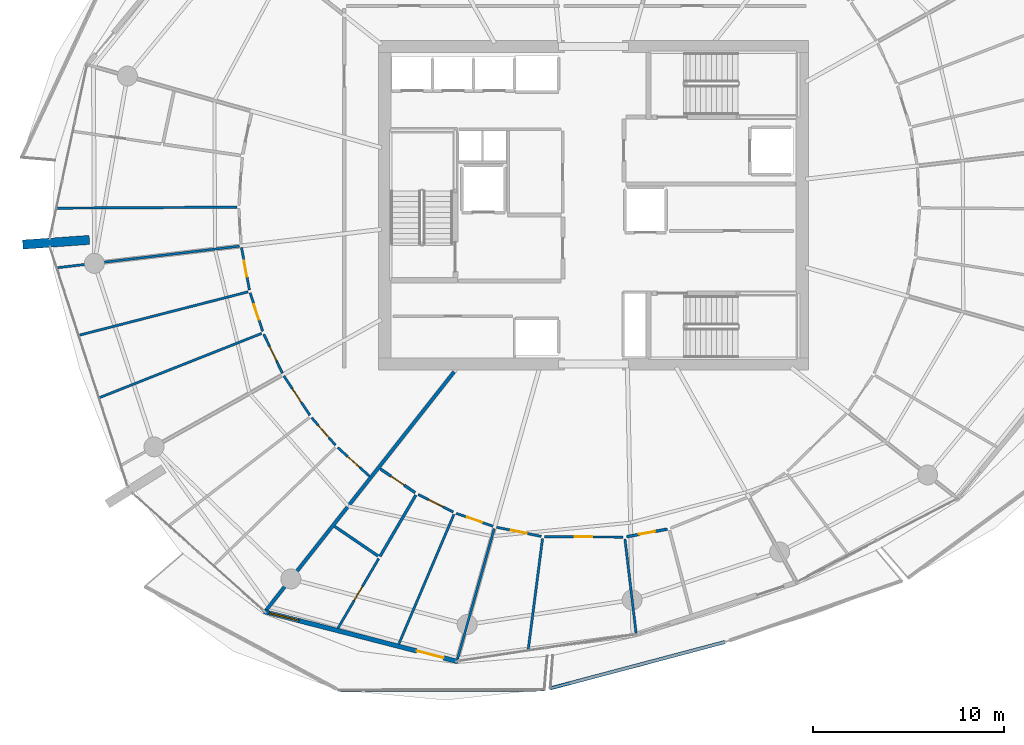
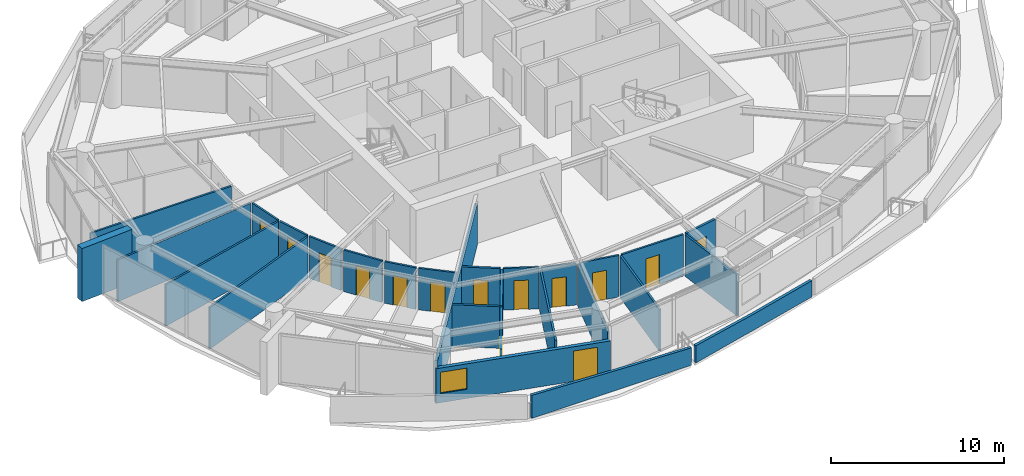
# One storey, part 11 of 21: 28 walls, 14 doors, 1 window, 15 openings.
"""IFC4 building model written with IfcOpenShell, lengths in metres."""

from ifc_helpers import new_model, si_unit, direction, frame, frame_2d, origin, place, context, subcontext, project, spatial, polyline, rectangle, outline, extrude, material, layer, layer_set, type_object, element, fill, save


model = new_model("IFC4")

# Units and contexts
model_context = context("Model", 3, precision=1e-05, world=origin(), true_north=direction((0.0, 1.0)))
body_context = subcontext(model_context, "Body", "Model", "MODEL_VIEW")
ifc_project = project(units=[si_unit("LENGTHUNIT", "METRE"), si_unit("AREAUNIT", "SQUARE_METRE"), si_unit("VOLUMEUNIT", "CUBIC_METRE"), si_unit("PLANEANGLEUNIT", "RADIAN"), si_unit("MASSUNIT", "GRAM", prefix="KILO")], contexts=[model_context])

# Site, building, storey
site_placement = place(None, origin())
site = spatial("IfcSite", under=ifc_project, at=site_placement, CompositionType="ELEMENT")
building_placement = place(site_placement, origin())
building = spatial("IfcBuilding", under=site, at=building_placement, Name="Kazma Halo Residences", CompositionType="ELEMENT")
storey_placement = place(building_placement, frame((0.0, 0.0, 184.050048828125)))
storey = spatial("IfcBuildingStorey", under=building, at=storey_placement, Name="L46", CompositionType="ELEMENT", Elevation=184.050048828125)

# Walls
ifc_material_1 = material(Name="White Concrete C50/60 Balustrade", Category="concrete")
ifc_layer_1 = layer(ifc_material_1, 0.179931640625)
ifc_layer_set_1 = layer_set([ifc_layer_1], Name="White Concrete C50/60 Balustrade")
wall_type_1 = type_object("IfcWallType", Name="WL-BAL-WAVE-180", PredefinedType="PARAPET", material=ifc_layer_set_1)
wall_1_placement = place(storey_placement, frame((35.16357421875, 16.571533203125, 0.0), z_axis=(0.0, 0.0, 1.0), x_axis=(0.999995918579, 0.002857065892, 0.0)))
element("IfcWall", 1, at=wall_1_placement, inside=storey, type_object=wall_type_1, Name="L46 white wave balustrade wall SW.2", PredefinedType="PARAPET", context=body_context, shape_type="SweptSolid", body=[
    extrude(outline(polyline([(0.0, 0.0), (10.681396484375, 0.0), (10.681396484375, 1.23291015625), (5.3408203125, 1.41796875), (0.0, 1.6318359375), (0.0, 0.0)])), frame((0.0, 0.08984375, 0.0), z_axis=(0.0, -1.0, 0.0), x_axis=(1.0, 0.0, 0.0)), (0.0, 0.0, 1.0), 0.179931640625),
])
wall_2_placement = place(storey_placement, frame((46.16162109375, 16.662109375, 0.0), z_axis=(0.0, 0.0, 1.0), x_axis=(0.96653117448, 0.256549193642, 0.0)))
element("IfcWall", 2, at=wall_2_placement, inside=storey, type_object=wall_type_1, Name="L46 white wave balustrade wall SSE.1", PredefinedType="PARAPET", context=body_context, shape_type="SweptSolid", body=[
    extrude(outline(polyline([(0.0, 0.0), (9.47265625, 0.0), (9.47265625, 1.14794921875), (4.736328125, 1.126953125), (0.0, 1.223876953125), (0.0, 0.0)])), frame((0.0, 0.08984375, 0.0), z_axis=(0.0, -1.0, 0.0), x_axis=(1.0, 0.0, 0.0)), (0.0, 0.0, 1.0), 0.179931640625),
])
ifc_material_2 = material(Name="Pale Concrete C60/75", Category="concrete")
ifc_layer_2 = layer(ifc_material_2, 0.47998046875)
ifc_layer_set_2 = layer_set([ifc_layer_2], Name="Pale Concrete C60/75")
wall_type_2 = type_object("IfcWallType", Name="WL-BLADE-480", PredefinedType="SOLIDWALL", material=ifc_layer_set_2)
wall_3_placement = place(storey_placement, frame((21.9873046875, 40.180908203125, 0.0), z_axis=(0.0, 0.0, 1.0), x_axis=(-0.997568676264, -0.069690287244, 0.0)))
element("IfcWall", 3, at=wall_3_placement, inside=storey, type_object=wall_type_2, Name="L46 pale concrete structural blade fin wall BW-02", PredefinedType="SOLIDWALL", context=body_context, shape_type="SweptSolid", body=[
    extrude(rectangle(XDim=3.499755859375, YDim=0.47998046875, at=frame_2d((1.75, 0.0))), origin(), (0.0, 0.0, 1.0), 3.75),
])
ifc_material_3 = material(Name="Acoustic Twin-Stud Gypsum")
ifc_layer_3 = layer(ifc_material_3, 0.179931640625)
ifc_layer_set_3 = layer_set([ifc_layer_3], Name="Acoustic Twin-Stud Gypsum")
wall_type_3 = type_object("IfcWallType", Name="WL-DEM-180", PredefinedType="PARTITIONING", material=ifc_layer_set_3)
wall_4_placement = place(storey_placement, frame((41.11279296875, 33.263671875, 0.0), z_axis=(0.0, 0.0, 1.0), x_axis=(-0.619089233189, -0.785320648748, 0.0)))
element("IfcWall", 4, at=wall_4_placement, inside=storey, type_object=wall_type_3, Name="L46 apartment demising radial wall 09", PredefinedType="PARTITIONING", context=body_context, shape_type="SweptSolid", body=[
    extrude(rectangle(XDim=16.005615234375, YDim=0.179931640625, at=frame_2d((8.0029296875, 0.0))), origin(), (0.0, 0.0, 1.0), 2.93994140625),
])

# Wall, openings, door, window
ifc_material_4 = material(Name="Insulated Pale-Metal Composite Wall")
ifc_layer_4 = layer(ifc_material_4, 0.239990234375)
ifc_layer_set_4 = layer_set([ifc_layer_4], Name="Insulated Pale-Metal Composite Wall")
wall_type_4 = type_object("IfcWallType", Name="WL-EXT-HOST-240", PredefinedType="SOLIDWALL", material=ifc_layer_set_4)
wall_5_placement = place(storey_placement, frame((31.139892578125, 20.68701171875, 0.0), z_axis=(0.0, 0.0, 1.0), x_axis=(0.968374028006, -0.249502989727, 0.0)))
wall_5 = element("IfcWall", 5, at=wall_5_placement, inside=storey, type_object=wall_type_4, Name="L46 exterior terrace-access wall B10", PredefinedType="SOLIDWALL", context=body_context, shape_type="SweptSolid", body=[
    extrude(rectangle(XDim=10.494384765625, YDim=0.239990234375, at=frame_2d((5.2470703125, 0.0))), origin(), (0.0, 0.0, 1.0), 2.449951171875),
])
opening_1_placement = place(wall_5_placement, frame((8.2744140625, 0.0, 0.0)))
opening_1 = element("IfcOpeningElement", 6, at=opening_1_placement, cuts=wall_5, Name="Opening DTR-1600", PredefinedType="OPENING", context=body_context, shape_type="SweptSolid", body=[
    extrude(rectangle(XDim=1.449951171875, YDim=2.14990234375, at=frame_2d((0.72509765625, 1.074951171875))), frame((0.0, 0.1298828125, 0.0), z_axis=(0.0, -1.0, 0.0), x_axis=(1.0, 0.0, 0.0)), (0.0, 0.0, 1.0), 0.260009765625),
])
opening_2_placement = place(wall_5_placement, frame((0.280029296875, 0.0, 0.64990234375)))
opening_2 = element("IfcOpeningElement", 7, at=opening_2_placement, cuts=wall_5, Name="Opening W-1800", PredefinedType="OPENING", context=body_context, shape_type="SweptSolid", body=[
    extrude(rectangle(XDim=1.60009765625, YDim=1.5, at=frame_2d((0.800048828125, 0.75))), frame((0.0, 0.1298828125, 0.0), z_axis=(0.0, -1.0, 0.0), x_axis=(1.0, 0.0, 0.0)), (0.0, 0.0, 1.0), 0.260009765625),
])
ifc_material_5 = material(Name="Aluminium AW-6063 T6 Double-Glazed Terrace Door", Category="aluminium")
door_type_1 = type_object("IfcDoorType", Name="DR-EXT-TERR-1600", OperationType="NOTDEFINED", PredefinedType="DOOR", material=ifc_material_5)
door_1_placement = place(opening_1_placement, origin())
door_1 = element("IfcDoor", 8, at=door_1_placement, inside=storey, type_object=door_type_1, Name="L46 B10 balcony terrace door", OperationType="DOUBLE_DOOR_SLIDING", OverallHeight=2.14990234375, OverallWidth=1.449951171875, PredefinedType="DOOR", context=body_context, shape_type="SweptSolid", body=[
    extrude(rectangle(XDim=1.449951171875, YDim=2.14990234375, at=frame_2d((0.72509765625, 1.074951171875))), frame((0.0, 0.02490234375, 0.0), z_axis=(0.0, -1.0, 0.0), x_axis=(1.0, 0.0, 0.0)), (0.0, 0.0, 1.0), 0.050048828125),
])
fill(opening_1, door_1)
ifc_material_6 = material(Name="Clear Triple-Silver Low-E Glass in Aluminium AW-6063 T6 Frame", Category="aluminium")
window_type = type_object("IfcWindowType", Name="WIN-RES-1800", PartitioningType="DOUBLE_PANEL_VERTICAL", PredefinedType="WINDOW", material=ifc_material_6)
window_placement = place(opening_2_placement, origin())
window = element("IfcWindow", 9, at=window_placement, inside=storey, type_object=window_type, Name="L46 B10 apartment window", OverallHeight=1.5, OverallWidth=1.60009765625, PartitioningType="SINGLE_PANEL", PredefinedType="WINDOW", context=body_context, shape_type="SweptSolid", body=[
    extrude(rectangle(XDim=1.60009765625, YDim=1.5, at=frame_2d((0.800048828125, 0.75))), frame((0.0, 0.030029296875, 0.0), z_axis=(0.0, -1.0, 0.0), x_axis=(1.0, 0.0, 0.0)), (0.0, 0.0, 1.0), 0.06005859375),
])
fill(opening_2, window)

# Walls
ifc_material_7 = material(Name="Gypsum Plasterboard Partition")
ifc_layer_5 = layer(ifc_material_7, 0.125)
ifc_layer_set_5 = layer_set([ifc_layer_5], Name="Gypsum Plasterboard Partition")
wall_type_5 = type_object("IfcWallType", Name="WL-PART-125", PredefinedType="PARTITIONING", material=ifc_layer_set_5)
wall_6_placement = place(storey_placement, frame((29.732421875, 41.899169921875, 0.0), z_axis=(0.0, 0.0, 1.0), x_axis=(-0.9999847383, -0.00552477756, 0.0)))
element("IfcWall", 10, at=wall_6_placement, inside=storey, type_object=wall_type_5, Name="L46 Apartment 2 suite divider 6", PredefinedType="PARTITIONING", context=body_context, shape_type="SweptSolid", body=[
    extrude(rectangle(XDim=9.456787109375, YDim=0.125, at=frame_2d((4.728515625, 0.0))), origin(), (0.0, 0.0, 1.0), 2.93994140625),
])
wall_7_placement = place(storey_placement, frame((29.8486328125, 39.8515625, 0.0), z_axis=(0.0, 0.0, 1.0), x_axis=(-0.993068571817, -0.117536426992, 0.0)))
element("IfcWall", 11, at=wall_7_placement, inside=storey, type_object=wall_type_5, Name="L46 Apartment 2 radial partition 7", PredefinedType="PARTITIONING", context=body_context, shape_type="SweptSolid", body=[
    extrude(rectangle(XDim=9.6171875, YDim=0.125, at=frame_2d((4.80859375, 0.0))), origin(), (0.0, 0.0, 1.0), 2.93994140625),
])
for number, where, z_axis, x_axis, name in (
    (12, (30.305908203125, 37.456787109375, 0.0), (0.0, 0.0, 1.0), (-0.96858393767, -0.248686862718, 0.0), "L46 Apartment 2 bay wall 1 7"),
    (13, (31.014892578125, 35.275146484375, 0.0), (0.0, 0.0, 1.0), (-0.929776346652, -0.368124904355, 0.0), "L46 Apartment 2 bay wall 2 7"),
):
    element("IfcWall", number, at=place(storey_placement, frame(where, z_axis=z_axis, x_axis=x_axis)), inside=storey, type_object=wall_type_5, Name=name, PredefinedType="PARTITIONING", context=body_context, shape_type="SweptSolid", body=[
        extrude(rectangle(XDim=9.144775390625, YDim=0.125, at=frame_2d((4.572265625, 0.0))), origin(), (0.0, 0.0, 1.0), 2.93994140625),
    ])

# Wall, opening, door
wall_8_placement = place(storey_placement, frame((29.962646484375, 39.784912109375, 0.0), z_axis=(0.0, 0.0, 1.0), x_axis=(0.18352071691, -0.983015842428, 0.0)))
wall_8 = element("IfcWall", 14, at=wall_8_placement, inside=storey, type_object=wall_type_5, Name="L46 Apartment 2 Primary Bedroom hall wall", PredefinedType="PARTITIONING", context=body_context, shape_type="SweptSolid", body=[
    extrude(rectangle(XDim=2.265625, YDim=0.125, at=frame_2d((1.1328125, 0.0))), origin(), (0.0, 0.0, 1.0), 2.93994140625),
])
opening_3_placement = place(wall_8_placement, frame((0.707763671875, 0.0, 0.0)))
opening_3 = element("IfcOpeningElement", 15, at=opening_3_placement, cuts=wall_8, Name="Opening DB-900", PredefinedType="OPENING", context=body_context, shape_type="SweptSolid", body=[
    extrude(rectangle(XDim=0.85009765625, YDim=2.06005859375, at=frame_2d((0.425048828125, 1.030029296875))), frame((0.0, 0.072509765625, 0.0), z_axis=(0.0, -1.0, 0.0), x_axis=(1.0, 0.0, 0.0)), (0.0, 0.0, 1.0), 0.14501953125),
])
ifc_material_8 = material(Name="Moisture-Sealed Timber Leaf", Category="wood")
door_type_2 = type_object("IfcDoorType", Name="DR-BTH-900", OperationType="NOTDEFINED", PredefinedType="DOOR", material=ifc_material_8)
door_2_placement = place(opening_3_placement, origin())
door_2 = element("IfcDoor", 16, at=door_2_placement, inside=storey, type_object=door_type_2, Name="L46 Apartment 2 Primary Bedroom door", OperationType="SINGLE_SWING_LEFT", OverallHeight=2.06005859375, OverallWidth=0.85009765625, PredefinedType="DOOR", context=body_context, shape_type="SweptSolid", body=[
    extrude(rectangle(XDim=0.85009765625, YDim=2.06005859375, at=frame_2d((0.425048828125, 1.030029296875))), frame((0.0, 0.02490234375, 0.0), z_axis=(0.0, -1.0, 0.0), x_axis=(1.0, 0.0, 0.0)), (0.0, 0.0, 1.0), 0.050048828125),
])
fill(opening_3, door_2)

wall_9_placement = place(storey_placement, frame((30.417724609375, 37.4033203125, 0.0), z_axis=(0.0, 0.0, 1.0), x_axis=(0.30900806035, -0.951059419089, 0.0)))
wall_9 = element("IfcWall", 17, at=wall_9_placement, inside=storey, type_object=wall_type_5, Name="L46 Apartment 2 Secondary Study hall wall", PredefinedType="PARTITIONING", context=body_context, shape_type="SweptSolid", body=[
    extrude(rectangle(XDim=2.123046875, YDim=0.125, at=frame_2d((1.0615234375, 0.0))), origin(), (0.0, 0.0, 1.0), 2.93994140625),
])
opening_4_placement = place(wall_9_placement, frame((0.636474609375, 0.0, 0.0)))
opening_4 = element("IfcOpeningElement", 18, at=opening_4_placement, cuts=wall_9, Name="Opening DB-900", PredefinedType="OPENING", context=body_context, shape_type="SweptSolid", body=[
    extrude(rectangle(XDim=0.85009765625, YDim=2.06005859375, at=frame_2d((0.425048828125, 1.030029296875))), frame((0.0, 0.072509765625, 0.0), z_axis=(0.0, -1.0, 0.0), x_axis=(1.0, 0.0, 0.0)), (0.0, 0.0, 1.0), 0.14501953125),
])
door_3_placement = place(opening_4_placement, origin())
door_3 = element("IfcDoor", 19, at=door_3_placement, inside=storey, type_object=door_type_2, Name="L46 Apartment 2 Secondary Study door", OperationType="SINGLE_SWING_RIGHT", OverallHeight=2.06005859375, OverallWidth=0.85009765625, PredefinedType="DOOR", context=body_context, shape_type="SweptSolid", body=[
    extrude(rectangle(XDim=0.85009765625, YDim=2.06005859375, at=frame_2d((0.425048828125, 1.030029296875))), frame((0.0, 0.02490234375, 0.0), z_axis=(0.0, -1.0, 0.0), x_axis=(1.0, 0.0, 0.0)), (0.0, 0.0, 1.0), 0.050048828125),
])
fill(opening_4, door_3)

wall_10_placement = place(storey_placement, frame((31.1328125, 35.23583984375, 0.0), z_axis=(0.0, 0.0, 1.0), x_axis=(0.429406348011, -0.903111393067, 0.0)))
wall_10 = element("IfcWall", 20, at=wall_10_placement, inside=storey, type_object=wall_type_5, Name="L46 Apartment 2 East Bedroom hall wall", PredefinedType="PARTITIONING", context=body_context, shape_type="SweptSolid", body=[
    extrude(rectangle(XDim=2.26513671875, YDim=0.125, at=frame_2d((1.132568359375, 0.0))), origin(), (0.0, 0.0, 1.0), 2.93994140625),
])
opening_5_placement = place(wall_10_placement, frame((0.70751953125, 0.0, 0.0)))
opening_5 = element("IfcOpeningElement", 21, at=opening_5_placement, cuts=wall_10, Name="Opening DB-900", PredefinedType="OPENING", context=body_context, shape_type="SweptSolid", body=[
    extrude(rectangle(XDim=0.85009765625, YDim=2.06005859375, at=frame_2d((0.425048828125, 1.030029296875))), frame((0.0, 0.072509765625, 0.0), z_axis=(0.0, -1.0, 0.0), x_axis=(1.0, 0.0, 0.0)), (0.0, 0.0, 1.0), 0.14501953125),
])
door_4_placement = place(opening_5_placement, origin())
door_4 = element("IfcDoor", 22, at=door_4_placement, inside=storey, type_object=door_type_2, Name="L46 Apartment 2 East Bedroom door", OperationType="SINGLE_SWING_LEFT", OverallHeight=2.06005859375, OverallWidth=0.85009765625, PredefinedType="DOOR", context=body_context, shape_type="SweptSolid", body=[
    extrude(rectangle(XDim=0.85009765625, YDim=2.06005859375, at=frame_2d((0.425048828125, 1.030029296875))), frame((0.0, 0.02490234375, 0.0), z_axis=(0.0, -1.0, 0.0), x_axis=(1.0, 0.0, 0.0)), (0.0, 0.0, 1.0), 0.050048828125),
])
fill(opening_5, door_4)

wall_11_placement = place(storey_placement, frame((32.183837890625, 33.051025390625, 0.0), z_axis=(0.0, 0.0, 1.0), x_axis=(0.550670678969, -0.834722590639, 0.0)))
wall_11 = element("IfcWall", 23, at=wall_11_placement, inside=storey, type_object=wall_type_5, Name="L46 Apartment 2 West Bedroom hall wall", PredefinedType="PARTITIONING", context=body_context, shape_type="SweptSolid", body=[
    extrude(rectangle(XDim=2.478759765625, YDim=0.125, at=frame_2d((1.2392578125, 0.0))), origin(), (0.0, 0.0, 1.0), 2.93994140625),
])
opening_6_placement = place(wall_11_placement, frame((0.814453125, 0.0, 0.0)))
opening_6 = element("IfcOpeningElement", 24, at=opening_6_placement, cuts=wall_11, Name="Opening DB-900", PredefinedType="OPENING", context=body_context, shape_type="SweptSolid", body=[
    extrude(rectangle(XDim=0.85009765625, YDim=2.06005859375, at=frame_2d((0.425048828125, 1.030029296875))), frame((0.0, 0.072509765625, 0.0), z_axis=(0.0, -1.0, 0.0), x_axis=(1.0, 0.0, 0.0)), (0.0, 0.0, 1.0), 0.14501953125),
])
door_5_placement = place(opening_6_placement, origin())
door_5 = element("IfcDoor", 25, at=door_5_placement, inside=storey, type_object=door_type_2, Name="L46 Apartment 2 West Bedroom door", OperationType="SINGLE_SWING_RIGHT", OverallHeight=2.06005859375, OverallWidth=0.85009765625, PredefinedType="DOOR", context=body_context, shape_type="SweptSolid", body=[
    extrude(rectangle(XDim=0.85009765625, YDim=2.06005859375, at=frame_2d((0.425048828125, 1.030029296875))), frame((0.0, 0.02490234375, 0.0), z_axis=(0.0, -1.0, 0.0), x_axis=(1.0, 0.0, 0.0)), (0.0, 0.0, 1.0), 0.050048828125),
])
fill(opening_6, door_5)

wall_12_placement = place(storey_placement, frame((33.645263671875, 30.8544921875, 0.0), z_axis=(0.0, 0.0, 1.0), x_axis=(0.653892857974, -0.756587159745, 0.0)))
wall_12 = element("IfcWall", 26, at=wall_12_placement, inside=storey, type_object=wall_type_5, Name="L46 Apartment 2 North Study hall wall", PredefinedType="PARTITIONING", context=body_context, shape_type="SweptSolid", body=[
    extrude(rectangle(XDim=1.908935546875, YDim=0.125, at=frame_2d((0.95458984375, 0.0))), origin(), (0.0, 0.0, 1.0), 2.93994140625),
])
opening_7_placement = place(wall_12_placement, frame((0.529541015625, 0.0, 0.0)))
opening_7 = element("IfcOpeningElement", 27, at=opening_7_placement, cuts=wall_12, Name="Opening DB-900", PredefinedType="OPENING", context=body_context, shape_type="SweptSolid", body=[
    extrude(rectangle(XDim=0.85009765625, YDim=2.06005859375, at=frame_2d((0.425048828125, 1.030029296875))), frame((0.0, 0.072509765625, 0.0), z_axis=(0.0, -1.0, 0.0), x_axis=(1.0, 0.0, 0.0)), (0.0, 0.0, 1.0), 0.14501953125),
])
door_6_placement = place(opening_7_placement, origin())
door_6 = element("IfcDoor", 28, at=door_6_placement, inside=storey, type_object=door_type_2, Name="L46 Apartment 2 North Study door", OperationType="SINGLE_SWING_LEFT", OverallHeight=2.06005859375, OverallWidth=0.85009765625, PredefinedType="DOOR", context=body_context, shape_type="SweptSolid", body=[
    extrude(rectangle(XDim=0.85009765625, YDim=2.06005859375, at=frame_2d((0.425048828125, 1.030029296875))), frame((0.0, 0.02490234375, 0.0), z_axis=(0.0, -1.0, 0.0), x_axis=(1.0, 0.0, 0.0)), (0.0, 0.0, 1.0), 0.050048828125),
])
fill(opening_7, door_6)

wall_13_placement = place(storey_placement, frame((35.00537109375, 29.296142578125, 0.0), z_axis=(0.0, 0.0, 1.0), x_axis=(0.742237514702, -0.670136905244, 0.0)))
wall_13 = element("IfcWall", 29, at=wall_13_placement, inside=storey, type_object=wall_type_5, Name="L46 Apartment 2 South Bedroom hall wall", PredefinedType="PARTITIONING", context=body_context, shape_type="SweptSolid", body=[
    extrude(rectangle(XDim=2.265380859375, YDim=0.125, at=frame_2d((1.1328125, 0.0))), origin(), (0.0, 0.0, 1.0), 2.93994140625),
])
opening_8_placement = place(wall_13_placement, frame((0.70751953125, 0.0, 0.0)))
opening_8 = element("IfcOpeningElement", 30, at=opening_8_placement, cuts=wall_13, Name="Opening DB-900", PredefinedType="OPENING", context=body_context, shape_type="SweptSolid", body=[
    extrude(rectangle(XDim=0.85009765625, YDim=2.06005859375, at=frame_2d((0.425048828125, 1.030029296875))), frame((0.0, 0.072509765625, 0.0), z_axis=(0.0, -1.0, 0.0), x_axis=(1.0, 0.0, 0.0)), (0.0, 0.0, 1.0), 0.14501953125),
])
door_7_placement = place(opening_8_placement, origin())
door_7 = element("IfcDoor", 31, at=door_7_placement, inside=storey, type_object=door_type_2, Name="L46 Apartment 2 South Bedroom door", OperationType="SINGLE_SWING_RIGHT", OverallHeight=2.06005859375, OverallWidth=0.85009765625, PredefinedType="DOOR", context=body_context, shape_type="SweptSolid", body=[
    extrude(rectangle(XDim=0.85009765625, YDim=2.06005859375, at=frame_2d((0.425048828125, 1.030029296875))), frame((0.0, 0.02490234375, 0.0), z_axis=(0.0, -1.0, 0.0), x_axis=(1.0, 0.0, 0.0)), (0.0, 0.0, 1.0), 0.050048828125),
])
fill(opening_8, door_7)

wall_14_placement = place(storey_placement, frame((37.15966796875, 23.47119140625, 0.0), z_axis=(0.0, 0.0, 1.0), x_axis=(-0.50496264881, -0.863141195464, 0.0)))
wall_14 = element("IfcWall", 32, at=wall_14_placement, inside=storey, type_object=wall_type_5, Name="L46 Apartment 3 Household Store Room partition wall", PredefinedType="PARTITIONING", context=body_context, shape_type="SweptSolid", body=[
    extrude(rectangle(XDim=4.23974609375, YDim=0.125, at=frame_2d((2.119873046875, 0.0))), origin(), (0.0, 0.0, 1.0), 2.93994140625),
])
opening_9_placement = place(wall_14_placement, frame((1.69482421875, 0.0, 0.0)))
opening_9 = element("IfcOpeningElement", 33, at=opening_9_placement, cuts=wall_14, Name="Opening DB-900", PredefinedType="OPENING", context=body_context, shape_type="SweptSolid", body=[
    extrude(rectangle(XDim=0.85009765625, YDim=2.06005859375, at=frame_2d((0.425048828125, 1.030029296875))), frame((0.0, 0.072509765625, 0.0), z_axis=(0.0, -1.0, 0.0), x_axis=(1.0, 0.0, 0.0)), (0.0, 0.0, 1.0), 0.14501953125),
])
door_8_placement = place(opening_9_placement, origin())
door_8 = element("IfcDoor", 34, at=door_8_placement, inside=storey, type_object=door_type_2, Name="L46 Apartment 3 Household Store Room door", OperationType="SINGLE_SWING_LEFT", OverallHeight=2.06005859375, OverallWidth=0.85009765625, PredefinedType="DOOR", context=body_context, shape_type="SweptSolid", body=[
    extrude(rectangle(XDim=0.85009765625, YDim=2.06005859375, at=frame_2d((0.425048828125, 1.030029296875))), frame((0.0, 0.02490234375, 0.0), z_axis=(0.0, -1.0, 0.0), x_axis=(1.0, 0.0, 0.0)), (0.0, 0.0, 1.0), 0.050048828125),
])
fill(opening_9, door_8)

# Wall
wall_15_placement = place(storey_placement, frame((41.105224609375, 25.788330078125, 0.0), z_axis=(0.0, 0.0, 1.0), x_axis=(-0.391376512859, -0.92023063695, 0.0)))
element("IfcWall", 35, at=wall_15_placement, inside=storey, type_object=wall_type_5, Name="L46 Apartment 3 suite divider 9", PredefinedType="PARTITIONING", context=body_context, shape_type="SweptSolid", body=[
    extrude(rectangle(XDim=7.3857421875, YDim=0.125, at=frame_2d((3.69287109375, 0.0))), origin(), (0.0, 0.0, 1.0), 2.93994140625),
])

# Wall, opening, door
wall_16_placement = place(storey_placement, frame((39.2294921875, 26.83154296875, 0.0), z_axis=(0.0, 0.0, 1.0), x_axis=(0.893476437717, -0.449110070299, 0.0)))
wall_16 = element("IfcWall", 36, at=wall_16_placement, inside=storey, type_object=wall_type_5, Name="L46 Apartment 3 Gourmet Kitchen hall wall", PredefinedType="PARTITIONING", context=body_context, shape_type="SweptSolid", body=[
    extrude(rectangle(XDim=2.05859375, YDim=0.125, at=frame_2d((1.029296875, 0.0))), origin(), (0.0, 0.0, 1.0), 2.93994140625),
])
opening_10_placement = place(wall_16_placement, frame((0.604248046875, 0.0, 0.0)))
opening_10 = element("IfcOpeningElement", 37, at=opening_10_placement, cuts=wall_16, Name="Opening DB-900", PredefinedType="OPENING", context=body_context, shape_type="SweptSolid", body=[
    extrude(rectangle(XDim=0.85009765625, YDim=2.06005859375, at=frame_2d((0.425048828125, 1.030029296875))), frame((0.0, 0.072509765625, 0.0), z_axis=(0.0, -1.0, 0.0), x_axis=(1.0, 0.0, 0.0)), (0.0, 0.0, 1.0), 0.14501953125),
])
door_9_placement = place(opening_10_placement, origin())
door_9 = element("IfcDoor", 38, at=door_9_placement, inside=storey, type_object=door_type_2, Name="L46 Apartment 3 Gourmet Kitchen door", OperationType="SINGLE_SWING_RIGHT", OverallHeight=2.06005859375, OverallWidth=0.85009765625, PredefinedType="DOOR", context=body_context, shape_type="SweptSolid", body=[
    extrude(rectangle(XDim=0.85009765625, YDim=2.06005859375, at=frame_2d((0.425048828125, 1.030029296875))), frame((0.0, 0.02490234375, 0.0), z_axis=(0.0, -1.0, 0.0), x_axis=(1.0, 0.0, 0.0)), (0.0, 0.0, 1.0), 0.050048828125),
])
fill(opening_10, door_9)

wall_17_placement = place(storey_placement, frame((41.2158203125, 25.844482421875, 0.0), z_axis=(0.0, 0.0, 1.0), x_axis=(0.943271616133, -0.332022074864, 0.0)))
wall_17 = element("IfcWall", 39, at=wall_17_placement, inside=storey, type_object=wall_type_5, Name="L46 Apartment 3 Primary Bedroom hall wall", PredefinedType="PARTITIONING", context=body_context, shape_type="SweptSolid", body=[
    extrude(rectangle(XDim=2.048583984375, YDim=0.125, at=frame_2d((1.0244140625, 0.0))), origin(), (0.0, 0.0, 1.0), 2.93994140625),
])
opening_11_placement = place(wall_17_placement, frame((0.599365234375, 0.0, 0.0)))
opening_11 = element("IfcOpeningElement", 40, at=opening_11_placement, cuts=wall_17, Name="Opening DB-900", PredefinedType="OPENING", context=body_context, shape_type="SweptSolid", body=[
    extrude(rectangle(XDim=0.85009765625, YDim=2.06005859375, at=frame_2d((0.425048828125, 1.030029296875))), frame((0.0, 0.072509765625, 0.0), z_axis=(0.0, -1.0, 0.0), x_axis=(1.0, 0.0, 0.0)), (0.0, 0.0, 1.0), 0.14501953125),
])
door_10_placement = place(opening_11_placement, origin())
door_10 = element("IfcDoor", 41, at=door_10_placement, inside=storey, type_object=door_type_2, Name="L46 Apartment 3 Primary Bedroom door", OperationType="SINGLE_SWING_LEFT", OverallHeight=2.06005859375, OverallWidth=0.85009765625, PredefinedType="DOOR", context=body_context, shape_type="SweptSolid", body=[
    extrude(rectangle(XDim=0.85009765625, YDim=2.06005859375, at=frame_2d((0.425048828125, 1.030029296875))), frame((0.0, 0.02490234375, 0.0), z_axis=(0.0, -1.0, 0.0), x_axis=(1.0, 0.0, 0.0)), (0.0, 0.0, 1.0), 0.050048828125),
])
fill(opening_11, door_10)

# Walls
wall_18_placement = place(storey_placement, frame((43.21533203125, 25.034912109375, 0.0), z_axis=(0.0, 0.0, 1.0), x_axis=(-0.271440563871, -0.962455204301, 0.0)))
element("IfcWall", 42, at=wall_18_placement, inside=storey, type_object=wall_type_5, Name="L46 Apartment 3 radial partition 10", PredefinedType="PARTITIONING", context=body_context, shape_type="SweptSolid", body=[
    extrude(rectangle(XDim=7.10009765625, YDim=0.125, at=frame_2d((3.550048828125, 0.0))), origin(), (0.0, 0.0, 1.0), 2.93994140625),
])
wall_19_placement = place(storey_placement, frame((45.750732421875, 24.527099609375, 0.0), z_axis=(0.0, 0.0, 1.0), x_axis=(-0.127671016766, -0.991816571488, 0.0)))
element("IfcWall", 43, at=wall_19_placement, inside=storey, type_object=wall_type_5, Name="L46 Apartment 3 mid-bay wall 10", PredefinedType="PARTITIONING", context=body_context, shape_type="SweptSolid", body=[
    extrude(rectangle(XDim=5.906982421875, YDim=0.125, at=frame_2d((2.95361328125, 0.0))), origin(), (0.0, 0.0, 1.0), 2.93994140625),
])

# Wall, opening, door
wall_20_placement = place(storey_placement, frame((43.340576171875, 25.111083984375, 0.0), z_axis=(0.0, 0.0, 1.0), x_axis=(0.97975954564, -0.200178002605, 0.0)))
wall_20 = element("IfcWall", 44, at=wall_20_placement, inside=storey, type_object=wall_type_5, Name="L46 Apartment 3 Primary Bedroom hall wall", PredefinedType="PARTITIONING", context=body_context, shape_type="SweptSolid", body=[
    extrude(rectangle(XDim=2.3916015625, YDim=0.125, at=frame_2d((1.19580078125, 0.0))), origin(), (0.0, 0.0, 1.0), 2.93994140625),
])
opening_12_placement = place(wall_20_placement, frame((0.77099609375, 0.0, 0.0)))
opening_12 = element("IfcOpeningElement", 45, at=opening_12_placement, cuts=wall_20, Name="Opening DB-900", PredefinedType="OPENING", context=body_context, shape_type="SweptSolid", body=[
    extrude(rectangle(XDim=0.85009765625, YDim=2.06005859375, at=frame_2d((0.425048828125, 1.030029296875))), frame((0.0, 0.072509765625, 0.0), z_axis=(0.0, -1.0, 0.0), x_axis=(1.0, 0.0, 0.0)), (0.0, 0.0, 1.0), 0.14501953125),
])
door_11_placement = place(opening_12_placement, origin())
door_11 = element("IfcDoor", 46, at=door_11_placement, inside=storey, type_object=door_type_2, Name="L46 Apartment 3 Primary Bedroom door", OperationType="SINGLE_SWING_LEFT", OverallHeight=2.06005859375, OverallWidth=0.85009765625, PredefinedType="DOOR", context=body_context, shape_type="SweptSolid", body=[
    extrude(rectangle(XDim=0.85009765625, YDim=2.06005859375, at=frame_2d((0.425048828125, 1.030029296875))), frame((0.0, 0.02490234375, 0.0), z_axis=(0.0, -1.0, 0.0), x_axis=(1.0, 0.0, 0.0)), (0.0, 0.0, 1.0), 0.050048828125),
])
fill(opening_12, door_11)

wall_21_placement = place(storey_placement, frame((45.84228515625, 24.615966796875, 0.0), z_axis=(0.0, 0.0, 1.0), x_axis=(0.999987001814, -0.00509864719, 0.0)))
wall_21 = element("IfcWall", 47, at=wall_21_placement, inside=storey, type_object=wall_type_5, Name="L46 Apartment 3 Secondary Bedroom hall wall", PredefinedType="PARTITIONING", context=body_context, shape_type="SweptSolid", body=[
    extrude(rectangle(XDim=4.117919921875, YDim=0.125, at=frame_2d((2.05908203125, 0.0))), origin(), (0.0, 0.0, 1.0), 2.93994140625),
])
opening_13_placement = place(wall_21_placement, frame((1.60888671875, 0.0, 0.0)))
opening_13 = element("IfcOpeningElement", 48, at=opening_13_placement, cuts=wall_21, Name="Opening DI-950", PredefinedType="OPENING", context=body_context, shape_type="SweptSolid", body=[
    extrude(rectangle(XDim=0.89990234375, YDim=2.080078125, at=frame_2d((0.449951171875, 1.0400390625))), frame((0.0, 0.072509765625, 0.0), z_axis=(0.0, -1.0, 0.0), x_axis=(1.0, 0.0, 0.0)), (0.0, 0.0, 1.0), 0.14501953125),
])
ifc_material_9 = material(Name="Timber Veneer Flush Leaf", Category="wood")
door_type_3 = type_object("IfcDoorType", Name="DR-INT-950", OperationType="NOTDEFINED", PredefinedType="DOOR", material=ifc_material_9)
door_12_placement = place(opening_13_placement, origin())
door_12 = element("IfcDoor", 49, at=door_12_placement, inside=storey, type_object=door_type_3, Name="L46 Apartment 3 Secondary Bedroom door", OperationType="SINGLE_SWING_RIGHT", OverallHeight=2.080078125, OverallWidth=0.89990234375, PredefinedType="DOOR", context=body_context, shape_type="SweptSolid", body=[
    extrude(rectangle(XDim=0.89990234375, YDim=2.080078125, at=frame_2d((0.449951171875, 1.0400390625))), frame((0.0, 0.02490234375, 0.0), z_axis=(0.0, -1.0, 0.0), x_axis=(1.0, 0.0, 0.0)), (0.0, 0.0, 1.0), 0.050048828125),
])
fill(opening_13, door_12)

# Wall
wall_22_placement = place(storey_placement, frame((50.072021484375, 24.4951171875, 0.0), z_axis=(0.0, 0.0, 1.0), x_axis=(0.11748042549, -0.993075198375, 0.0)))
element("IfcWall", 50, at=wall_22_placement, inside=storey, type_object=wall_type_5, Name="L46 Apartment 3 radial partition 11", PredefinedType="PARTITIONING", context=body_context, shape_type="SweptSolid", body=[
    extrude(rectangle(XDim=5.00830078125, YDim=0.125, at=frame_2d((2.504150390625, 0.0))), origin(), (0.0, 0.0, 1.0), 2.93994140625),
])

# Wall, opening, door
ifc_material_10 = material(Name="Moisture-Resistant Gypsum")
ifc_layer_6 = layer(ifc_material_10, 0.14990234375)
ifc_layer_set_6 = layer_set([ifc_layer_6], Name="Moisture-Resistant Gypsum")
wall_type_6 = type_object("IfcWallType", Name="WL-WET-150", PredefinedType="PARTITIONING", material=ifc_layer_set_6)
wall_23_placement = place(storey_placement, frame((37.231689453125, 28.179443359375, 0.0), z_axis=(0.0, 0.0, 1.0), x_axis=(0.82617871593, -0.56340813745, 0.0)))
wall_23 = element("IfcWall", 51, at=wall_23_placement, inside=storey, type_object=wall_type_6, Name="L46 Apartment 3 Guest Bathroom hall wall", PredefinedType="PARTITIONING", context=body_context, shape_type="SweptSolid", body=[
    extrude(rectangle(XDim=2.230712890625, YDim=0.14990234375, at=frame_2d((1.115234375, 0.0))), origin(), (0.0, 0.0, 1.0), 2.93994140625),
])
opening_14_placement = place(wall_23_placement, frame((0.6904296875, 0.0, 0.0)))
opening_14 = element("IfcOpeningElement", 52, at=opening_14_placement, cuts=wall_23, Name="Opening DB-900", PredefinedType="OPENING", context=body_context, shape_type="SweptSolid", body=[
    extrude(rectangle(XDim=0.85009765625, YDim=2.06005859375, at=frame_2d((0.425048828125, 1.030029296875))), frame((0.0, 0.0849609375, 0.0), z_axis=(0.0, -1.0, 0.0), x_axis=(1.0, 0.0, 0.0)), (0.0, 0.0, 1.0), 0.169921875),
])
door_13_placement = place(opening_14_placement, origin())
door_13 = element("IfcDoor", 53, at=door_13_placement, inside=storey, type_object=door_type_2, Name="L46 Apartment 3 Guest Bathroom door", OperationType="SINGLE_SWING_RIGHT", OverallHeight=2.06005859375, OverallWidth=0.85009765625, PredefinedType="DOOR", context=body_context, shape_type="SweptSolid", body=[
    extrude(rectangle(XDim=0.85009765625, YDim=2.06005859375, at=frame_2d((0.425048828125, 1.030029296875))), frame((0.0, 0.02490234375, 0.0), z_axis=(0.0, -1.0, 0.0), x_axis=(1.0, 0.0, 0.0)), (0.0, 0.0, 1.0), 0.050048828125),
])
fill(opening_14, door_13)

# Walls
wall_24_placement = place(storey_placement, frame((34.84814453125, 25.156005859375, 0.0), z_axis=(0.0, 0.0, 1.0), x_axis=(0.826199296751, -0.563377956657, 0.0)))
element("IfcWall", 54, at=wall_24_placement, inside=storey, type_object=wall_type_6, Name="L46 Apartment 3 Guest Bathroom back wall", PredefinedType="PARTITIONING", context=body_context, shape_type="SweptSolid", body=[
    extrude(rectangle(XDim=2.7626953125, YDim=0.14990234375, at=frame_2d((1.38134765625, 0.0))), origin(), (0.0, 0.0, 1.0), 2.93994140625),
])
wall_25_placement = place(storey_placement, frame((39.103759765625, 26.794189453125, 0.0), z_axis=(0.0, 0.0, 1.0), x_axis=(-0.504947897923, -0.863149824992, 0.0)))
element("IfcWall", 55, at=wall_25_placement, inside=storey, type_object=wall_type_6, Name="L46 Apartment 3 Guest Bathroom side wall", PredefinedType="PARTITIONING", context=body_context, shape_type="SweptSolid", body=[
    extrude(rectangle(XDim=3.719970703125, YDim=0.14990234375, at=frame_2d((1.85986328125, 0.0))), origin(), (0.0, 0.0, 1.0), 2.93994140625),
])

# Wall, opening, door
wall_26_placement = place(storey_placement, frame((50.158447265625, 24.61279296875, 0.0), z_axis=(0.0, 0.0, 1.0), x_axis=(0.982858210634, 0.184363059718, 0.0)))
wall_26 = element("IfcWall", 56, at=wall_26_placement, inside=storey, type_object=wall_type_6, Name="L46 Apartment 3 East En-Suite Bathroom hall wall", PredefinedType="PARTITIONING", context=body_context, shape_type="SweptSolid", body=[
    extrude(rectangle(XDim=2.17578125, YDim=0.14990234375, at=frame_2d((1.087890625, 0.0))), origin(), (0.0, 0.0, 1.0), 2.93994140625),
])
opening_15_placement = place(wall_26_placement, frame((0.662841796875, 0.0, 0.0)))
opening_15 = element("IfcOpeningElement", 57, at=opening_15_placement, cuts=wall_26, Name="Opening DB-900", PredefinedType="OPENING", context=body_context, shape_type="SweptSolid", body=[
    extrude(rectangle(XDim=0.85009765625, YDim=2.06005859375, at=frame_2d((0.425048828125, 1.030029296875))), frame((0.0, 0.0849609375, 0.0), z_axis=(0.0, -1.0, 0.0), x_axis=(1.0, 0.0, 0.0)), (0.0, 0.0, 1.0), 0.169921875),
])
door_14_placement = place(opening_15_placement, origin())
door_14 = element("IfcDoor", 58, at=door_14_placement, inside=storey, type_object=door_type_2, Name="L46 Apartment 3 East En-Suite Bathroom door", OperationType="SINGLE_SWING_RIGHT", OverallHeight=2.06005859375, OverallWidth=0.85009765625, PredefinedType="DOOR", context=body_context, shape_type="SweptSolid", body=[
    extrude(rectangle(XDim=0.85009765625, YDim=2.06005859375, at=frame_2d((0.425048828125, 1.030029296875))), frame((0.0, 0.02490234375, 0.0), z_axis=(0.0, -1.0, 0.0), x_axis=(1.0, 0.0, 0.0)), (0.0, 0.0, 1.0), 0.050048828125),
])
fill(opening_15, door_14)

save(model, "model.ifc")
